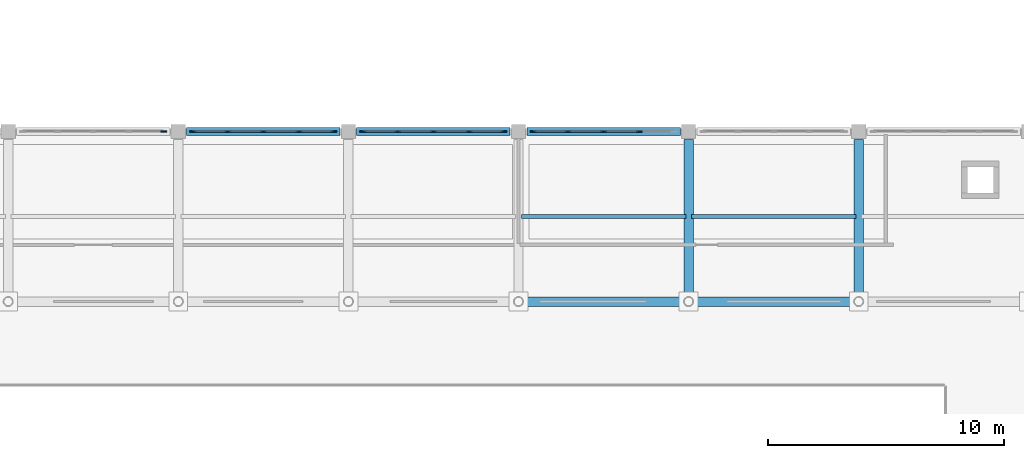
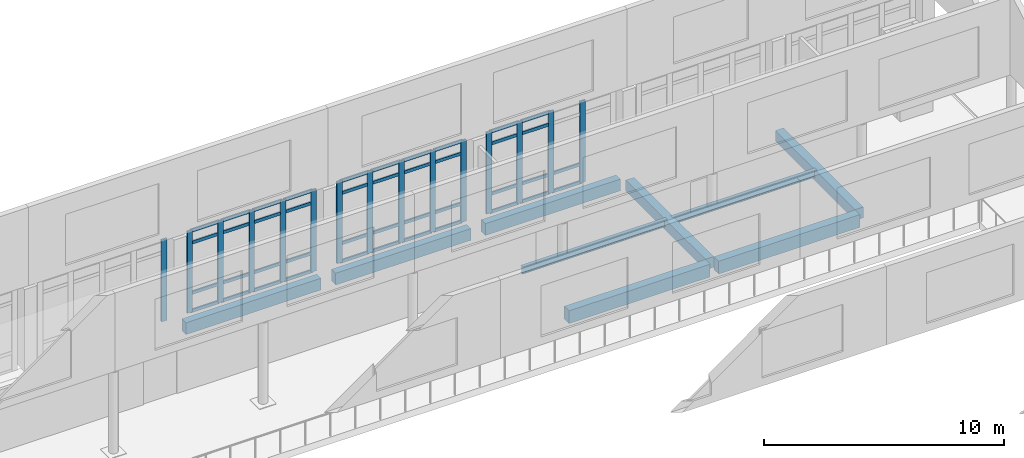
# One storey, part 21 of 62: 57 members, 9 beams, 4 elements without a shape of their own.
"""IFC4 building model written with IfcOpenShell, lengths in metres."""

from ifc_helpers import new_model, si_unit, direction, frame, origin, origin_2d, place, context, subcontext, project, spatial, rectangle, i_section, extrude, material, layer, layer_set, material_profile, profile_set, type_object, element, aggregate, save


model = new_model("IFC4")

# Units and contexts
model_context = context("Model", 3, precision=1e-05, world=origin(), true_north=direction((0.0, 1.0)))
body_context = subcontext(model_context, "Body", "Model", "MODEL_VIEW")
ifc_project = project(units=[si_unit("LENGTHUNIT", "METRE"), si_unit("AREAUNIT", "SQUARE_METRE"), si_unit("VOLUMEUNIT", "CUBIC_METRE"), si_unit("PLANEANGLEUNIT", "RADIAN"), si_unit("MASSUNIT", "GRAM", prefix="KILO")], contexts=[model_context])

# Site, building, storey
site_placement = place(None, origin())
site = spatial("IfcSite", under=ifc_project, at=site_placement, CompositionType="ELEMENT")
building_placement = place(site_placement, origin())
building = spatial("IfcBuilding", under=site, at=building_placement, Name="Valkovuoma Quantum and Materials Research Institute", CompositionType="ELEMENT")
storey_placement = place(building_placement, frame((0.0, 0.0, 13.1201171875)))
storey = spatial("IfcBuildingStorey", under=building, at=storey_placement, Name="L03", CompositionType="ELEMENT", Elevation=13.1201171875)

# Beams
ifc_material_1 = material(Name="Steel S355J2", Category="steel")
ifc_material_profile_1 = material_profile(ifc_material_1, i_section(OverallWidth=0.169921875, OverallDepth=0.360107421875, WebThickness=0.008056640625, FlangeThickness=0.0126953125, FilletRadius=0.01806640625, at=origin_2d()), Name="Steel S355J2")
ifc_profile_set_1 = profile_set([ifc_material_profile_1], Name="Steel S355J2")
beam_type_1 = type_object("IfcBeamType", Name="Beam-B-JST360", PredefinedType="JOIST", material=ifc_profile_set_1)
for number, where, z_axis, x_axis, name in (
    (1, (79.320068359375, 61.199951171875, -0.530029296875), (1.0, 0.0, 0.0), (0.0, 1.0, 0.0), "L03 floor joist 1743"),
    (2, (86.52001953125, 61.199951171875, -0.530029296875), (1.0, 0.0, 0.0), (0.0, 1.0, 0.0), "L03 floor joist 1744"),
):
    element("IfcBeam", number, at=place(storey_placement, frame(where, z_axis=z_axis, x_axis=x_axis)), inside=storey, type_object=beam_type_1, Name=name, PredefinedType="JOIST", context=body_context, shape_type="SweptSolid", body=[
        extrude(i_section(OverallWidth=0.169921875, OverallDepth=0.360107421875, WebThickness=0.008056640625, FlangeThickness=0.0126953125, FilletRadius=0.01806640625, at=origin_2d()), origin(), (0.0, 0.0, 1.0), 6.9599609375),
    ])
ifc_material_2 = material(Name="Concrete C40/50", Category="concrete")
ifc_material_profile_2 = material_profile(ifc_material_2, rectangle(XDim=0.39990234375, YDim=0.550048828125, at=origin_2d()), Name="Concrete C40/50")
ifc_profile_set_2 = profile_set([ifc_material_profile_2], Name="Concrete C40/50")
beam_type_2 = type_object("IfcBeamType", Name="Beam-B-RC550", PredefinedType="BEAM", material=ifc_profile_set_2)
for number, where, z_axis, x_axis, name in (
    (3, (86.39990234375, 57.80322265625, -0.625), (0.0, 1.0, 0.0), (-1.0, 0.0, 0.0), "L03 beam Y-1632"),
    (4, (93.60009765625, 57.80322265625, -0.625), (0.0, 1.0, 0.0), (-1.0, 0.0, 0.0), "L03 beam Y-1633"),
):
    element("IfcBeam", number, at=place(storey_placement, frame(where, z_axis=z_axis, x_axis=x_axis)), inside=storey, type_object=beam_type_2, Name=name, PredefinedType="BEAM", context=body_context, shape_type="SweptSolid", body=[
        extrude(rectangle(XDim=0.39990234375, YDim=0.550048828125, at=origin_2d()), origin(), (0.0, 0.0, 1.0), 6.646728515625),
    ])
ifc_material_3 = material(Name="Concrete C40/50", Category="concrete")
ifc_material_profile_3 = material_profile(ifc_material_3, rectangle(XDim=0.39990234375, YDim=0.64990234375, at=origin_2d()), Name="Concrete C40/50")
ifc_profile_set_3 = profile_set([ifc_material_profile_3], Name="Concrete C40/50")
beam_type_3 = type_object("IfcBeamType", Name="Beam-B-RC650", PredefinedType="BEAM", material=ifc_profile_set_3)
for number, where, z_axis, x_axis, name in (
    (5, (79.4033203125, 57.60009765625, -0.675048828125), (1.0, 0.0, 0.0), (0.0, 1.0, 0.0), "L03 beam X-1475"),
    (6, (86.603271484375, 57.60009765625, -0.675048828125), (1.0, 0.0, 0.0), (0.0, 1.0, 0.0), "L03 beam X-1476"),
):
    element("IfcBeam", number, at=place(storey_placement, frame(where, z_axis=z_axis, x_axis=x_axis)), inside=storey, type_object=beam_type_3, Name=name, PredefinedType="BEAM", context=body_context, shape_type="SweptSolid", body=[
        extrude(rectangle(XDim=0.39990234375, YDim=0.64990234375, at=origin_2d()), origin(), (0.0, 0.0, 1.0), 6.79345703125),
    ])
ifc_material_4 = material(Name="Concrete C40/50", Category="concrete")
ifc_material_profile_4 = material_profile(ifc_material_4, rectangle(XDim=0.35009765625, YDim=0.60009765625, at=origin_2d()), Name="Concrete C40/50")
ifc_profile_set_4 = profile_set([ifc_material_profile_4], Name="Concrete C40/50")
beam_type_4 = type_object("IfcBeamType", Name="Beam-B-SPN600", PredefinedType="SPANDREL", material=ifc_profile_set_4)
for number, where, z_axis, x_axis, name in (
    (7, (65.14990234375, 64.800048828125, -0.650146484375), (1.0, 0.0, 0.0), (0.0, 1.0, 0.0), "L03 beam X-1492"),
    (8, (72.35009765625, 64.800048828125, -0.650146484375), (1.0, 0.0, 0.0), (0.0, 1.0, 0.0), "L03 beam X-1493"),
    (9, (79.550048828125, 64.800048828125, -0.650146484375), (1.0, 0.0, 0.0), (0.0, 1.0, 0.0), "L03 beam X-1494"),
):
    element("IfcBeam", number, at=place(storey_placement, frame(where, z_axis=z_axis, x_axis=x_axis)), inside=storey, type_object=beam_type_4, Name=name, PredefinedType="SPANDREL", context=body_context, shape_type="SweptSolid", body=[
        extrude(rectangle(XDim=0.35009765625, YDim=0.60009765625, at=origin_2d()), origin(), (0.0, 0.0, 1.0), 6.5),
    ])

# Curtain wall, member
ifc_material_5 = material(Name="Thermally broken aluminium and triple low-E glazing", Category="aluminium")
ifc_layer = layer(ifc_material_5, 0.219970703125)
ifc_layer_set = layer_set([ifc_layer], Name="Thermally broken aluminium and triple low-E glazing")
curtain_wall_type = type_object("IfcCurtainWallType", Name="CW-CW-02", PredefinedType="NOTDEFINED", material=ifc_layer_set)
curtain_wall_1_placement = place(storey_placement, origin())
curtain_wall_1 = element("IfcCurtainWall", 10, at=curtain_wall_1_placement, inside=storey, type_object=curtain_wall_type, Name="L03 curtain wall 213", PredefinedType="NOTDEFINED")
ifc_material_6 = material(Name="Anodised aluminium 6060-T66", Category="aluminium")
ifc_material_profile_5 = material_profile(ifc_material_6, rectangle(XDim=0.080078125, YDim=0.260009765625, at=origin_2d()), Name="Anodised aluminium 6060-T66")
ifc_profile_set_5 = profile_set([ifc_material_profile_5], Name="Anodised aluminium 6060-T66")
member_type_1 = type_object("IfcMemberType", Name="CWMull-CWM-03", PredefinedType="MULLION", material=ifc_profile_set_5)
member_1_placement = place(storey_placement, frame((64.179931640625, 64.800048828125, 0.0), z_axis=(0.0, 0.0, 1.0), x_axis=(0.0, 1.0, 0.0)))
member_1 = element("IfcMember", 11, at=member_1_placement, type_object=member_type_1, Name="CW-02 mullion 5", PredefinedType="MULLION", context=body_context, shape_type="SweptSolid", body=[
    extrude(rectangle(XDim=0.080078125, YDim=0.260009765625, at=origin_2d()), origin(), (0.0, 0.0, 1.0), 4.159912109375),
])
aggregate(curtain_wall_1, [member_1])

# Curtain wall, members
curtain_wall_2_placement = place(storey_placement, origin())
curtain_wall_2 = element("IfcCurtainWall", 12, at=curtain_wall_2_placement, inside=storey, type_object=curtain_wall_type, Name="L03 curtain wall 214", PredefinedType="NOTDEFINED")
member_2_placement = place(storey_placement, frame((65.419921875, 64.800048828125, 0.0), z_axis=(0.0, 0.0, 1.0), x_axis=(0.0, 1.0, 0.0)))
member_2 = element("IfcMember", 13, at=member_2_placement, type_object=member_type_1, Name="CW-02 mullion 1", PredefinedType="MULLION", context=body_context, shape_type="SweptSolid", body=[
    extrude(rectangle(XDim=0.080078125, YDim=0.260009765625, at=origin_2d()), origin(), (0.0, 0.0, 1.0), 4.159912109375),
])
member_3_placement = place(storey_placement, frame((66.889892578125, 64.800048828125, 0.0), z_axis=(0.0, 0.0, 1.0), x_axis=(0.0, 1.0, 0.0)))
member_3 = element("IfcMember", 14, at=member_3_placement, type_object=member_type_1, Name="CW-02 mullion 2", PredefinedType="MULLION", context=body_context, shape_type="SweptSolid", body=[
    extrude(rectangle(XDim=0.080078125, YDim=0.260009765625, at=origin_2d()), origin(), (0.0, 0.0, 1.0), 4.159912109375),
])
member_4_placement = place(storey_placement, frame((68.39990234375, 64.800048828125, 0.0), z_axis=(0.0, 0.0, 1.0), x_axis=(0.0, 1.0, 0.0)))
member_4 = element("IfcMember", 15, at=member_4_placement, type_object=member_type_1, Name="CW-02 mullion 3", PredefinedType="MULLION", context=body_context, shape_type="SweptSolid", body=[
    extrude(rectangle(XDim=0.080078125, YDim=0.260009765625, at=origin_2d()), origin(), (0.0, 0.0, 1.0), 4.159912109375),
])
member_5_placement = place(storey_placement, frame((69.909912109375, 64.800048828125, 0.0), z_axis=(0.0, 0.0, 1.0), x_axis=(0.0, 1.0, 0.0)))
member_5 = element("IfcMember", 16, at=member_5_placement, type_object=member_type_1, Name="CW-02 mullion 4", PredefinedType="MULLION", context=body_context, shape_type="SweptSolid", body=[
    extrude(rectangle(XDim=0.080078125, YDim=0.260009765625, at=origin_2d()), origin(), (0.0, 0.0, 1.0), 4.159912109375),
])
member_6_placement = place(storey_placement, frame((71.3798828125, 64.800048828125, 0.0), z_axis=(0.0, 0.0, 1.0), x_axis=(0.0, 1.0, 0.0)))
member_6 = element("IfcMember", 17, at=member_6_placement, type_object=member_type_1, Name="CW-02 mullion 5", PredefinedType="MULLION", context=body_context, shape_type="SweptSolid", body=[
    extrude(rectangle(XDim=0.080078125, YDim=0.260009765625, at=origin_2d()), origin(), (0.0, 0.0, 1.0), 4.159912109375),
])

curtain_wall_3_placement = place(storey_placement, origin())
curtain_wall_3 = element("IfcCurtainWall", 18, at=curtain_wall_3_placement, inside=storey, type_object=curtain_wall_type, Name="L03 curtain wall 215", PredefinedType="NOTDEFINED")
member_7_placement = place(storey_placement, frame((72.6201171875, 64.800048828125, 0.0), z_axis=(0.0, 0.0, 1.0), x_axis=(0.0, 1.0, 0.0)))
member_7 = element("IfcMember", 19, at=member_7_placement, type_object=member_type_1, Name="CW-02 mullion 1", PredefinedType="MULLION", context=body_context, shape_type="SweptSolid", body=[
    extrude(rectangle(XDim=0.080078125, YDim=0.260009765625, at=origin_2d()), origin(), (0.0, 0.0, 1.0), 4.159912109375),
])
member_8_placement = place(storey_placement, frame((74.090087890625, 64.800048828125, 0.0), z_axis=(0.0, 0.0, 1.0), x_axis=(0.0, 1.0, 0.0)))
member_8 = element("IfcMember", 20, at=member_8_placement, type_object=member_type_1, Name="CW-02 mullion 2", PredefinedType="MULLION", context=body_context, shape_type="SweptSolid", body=[
    extrude(rectangle(XDim=0.080078125, YDim=0.260009765625, at=origin_2d()), origin(), (0.0, 0.0, 1.0), 4.159912109375),
])
member_9_placement = place(storey_placement, frame((75.60009765625, 64.800048828125, 0.0), z_axis=(0.0, 0.0, 1.0), x_axis=(0.0, 1.0, 0.0)))
member_9 = element("IfcMember", 21, at=member_9_placement, type_object=member_type_1, Name="CW-02 mullion 3", PredefinedType="MULLION", context=body_context, shape_type="SweptSolid", body=[
    extrude(rectangle(XDim=0.080078125, YDim=0.260009765625, at=origin_2d()), origin(), (0.0, 0.0, 1.0), 4.159912109375),
])
member_10_placement = place(storey_placement, frame((77.110107421875, 64.800048828125, 0.0), z_axis=(0.0, 0.0, 1.0), x_axis=(0.0, 1.0, 0.0)))
member_10 = element("IfcMember", 22, at=member_10_placement, type_object=member_type_1, Name="CW-02 mullion 4", PredefinedType="MULLION", context=body_context, shape_type="SweptSolid", body=[
    extrude(rectangle(XDim=0.080078125, YDim=0.260009765625, at=origin_2d()), origin(), (0.0, 0.0, 1.0), 4.159912109375),
])
member_11_placement = place(storey_placement, frame((78.580078125, 64.800048828125, 0.0), z_axis=(0.0, 0.0, 1.0), x_axis=(0.0, 1.0, 0.0)))
member_11 = element("IfcMember", 23, at=member_11_placement, type_object=member_type_1, Name="CW-02 mullion 5", PredefinedType="MULLION", context=body_context, shape_type="SweptSolid", body=[
    extrude(rectangle(XDim=0.080078125, YDim=0.260009765625, at=origin_2d()), origin(), (0.0, 0.0, 1.0), 4.159912109375),
])

curtain_wall_4_placement = place(storey_placement, origin())
curtain_wall_4 = element("IfcCurtainWall", 24, at=curtain_wall_4_placement, inside=storey, type_object=curtain_wall_type, Name="L03 curtain wall 216", PredefinedType="NOTDEFINED")
member_12_placement = place(storey_placement, frame((79.820068359375, 64.800048828125, 0.0), z_axis=(0.0, 0.0, 1.0), x_axis=(0.0, 1.0, 0.0)))
member_12 = element("IfcMember", 25, at=member_12_placement, type_object=member_type_1, Name="CW-02 mullion 1", PredefinedType="MULLION", context=body_context, shape_type="SweptSolid", body=[
    extrude(rectangle(XDim=0.080078125, YDim=0.260009765625, at=origin_2d()), origin(), (0.0, 0.0, 1.0), 4.159912109375),
])
member_13_placement = place(storey_placement, frame((81.2900390625, 64.800048828125, 0.0), z_axis=(0.0, 0.0, 1.0), x_axis=(0.0, 1.0, 0.0)))
member_13 = element("IfcMember", 26, at=member_13_placement, type_object=member_type_1, Name="CW-02 mullion 2", PredefinedType="MULLION", context=body_context, shape_type="SweptSolid", body=[
    extrude(rectangle(XDim=0.080078125, YDim=0.260009765625, at=origin_2d()), origin(), (0.0, 0.0, 1.0), 4.159912109375),
])
member_14_placement = place(storey_placement, frame((82.800048828125, 64.800048828125, 0.0), z_axis=(0.0, 0.0, 1.0), x_axis=(0.0, 1.0, 0.0)))
member_14 = element("IfcMember", 27, at=member_14_placement, type_object=member_type_1, Name="CW-02 mullion 3", PredefinedType="MULLION", context=body_context, shape_type="SweptSolid", body=[
    extrude(rectangle(XDim=0.080078125, YDim=0.260009765625, at=origin_2d()), origin(), (0.0, 0.0, 1.0), 4.159912109375),
])
member_15_placement = place(storey_placement, frame((84.31005859375, 64.800048828125, 0.0), z_axis=(0.0, 0.0, 1.0), x_axis=(0.0, 1.0, 0.0)))
member_15 = element("IfcMember", 28, at=member_15_placement, type_object=member_type_1, Name="CW-02 mullion 4", PredefinedType="MULLION", context=body_context, shape_type="SweptSolid", body=[
    extrude(rectangle(XDim=0.080078125, YDim=0.260009765625, at=origin_2d()), origin(), (0.0, 0.0, 1.0), 4.159912109375),
])

# Member
ifc_material_7 = material(Name="Anodised aluminium 6060-T66", Category="aluminium")
ifc_material_profile_6 = material_profile(ifc_material_7, rectangle(XDim=0.074951171875, YDim=0.159912109375, at=origin_2d()), Name="Anodised aluminium 6060-T66")
ifc_profile_set_6 = profile_set([ifc_material_profile_6], Name="Anodised aluminium 6060-T66")
member_type_2 = type_object("IfcMemberType", Name="CWTran-CWT-02", PredefinedType="USERDEFINED", material=ifc_profile_set_6)
member_16_placement = place(storey_placement, frame((65.4599609375, 64.800048828125, 0.037353515625), z_axis=(1.0, 0.0, 0.0), x_axis=(0.0, 1.0, 0.0)))
member_16 = element("IfcMember", 29, at=member_16_placement, type_object=member_type_2, Name="CW-02 transom 1.1", ObjectType="TRANSOM", PredefinedType="USERDEFINED", context=body_context, shape_type="SweptSolid", body=[
    extrude(rectangle(XDim=0.074951171875, YDim=0.159912109375, at=origin_2d()), origin(), (0.0, 0.0, 1.0), 1.39013671875),
])

member_17_placement = place(storey_placement, frame((65.4599609375, 64.800048828125, 0.949951171875), z_axis=(1.0, 0.0, 0.0), x_axis=(0.0, 1.0, 0.0)))
member_17 = element("IfcMember", 30, at=member_17_placement, type_object=member_type_2, Name="CW-02 transom 1.2", ObjectType="TRANSOM", PredefinedType="USERDEFINED", context=body_context, shape_type="SweptSolid", body=[
    extrude(rectangle(XDim=0.074951171875, YDim=0.159912109375, at=origin_2d()), origin(), (0.0, 0.0, 1.0), 1.39013671875),
])

member_18_placement = place(storey_placement, frame((65.4599609375, 64.800048828125, 3.509765625), z_axis=(1.0, 0.0, 0.0), x_axis=(0.0, 1.0, 0.0)))
member_18 = element("IfcMember", 31, at=member_18_placement, type_object=member_type_2, Name="CW-02 transom 1.3", ObjectType="TRANSOM", PredefinedType="USERDEFINED", context=body_context, shape_type="SweptSolid", body=[
    extrude(rectangle(XDim=0.074951171875, YDim=0.159912109375, at=origin_2d()), origin(), (0.0, 0.0, 1.0), 1.39013671875),
])

member_19_placement = place(storey_placement, frame((65.4599609375, 64.800048828125, 4.122314453125), z_axis=(1.0, 0.0, 0.0), x_axis=(0.0, 1.0, 0.0)))
member_19 = element("IfcMember", 32, at=member_19_placement, type_object=member_type_2, Name="CW-02 transom 1.4", ObjectType="TRANSOM", PredefinedType="USERDEFINED", context=body_context, shape_type="SweptSolid", body=[
    extrude(rectangle(XDim=0.074951171875, YDim=0.159912109375, at=origin_2d()), origin(), (0.0, 0.0, 1.0), 1.39013671875),
])

member_20_placement = place(storey_placement, frame((66.929931640625, 64.800048828125, 0.037353515625), z_axis=(1.0, 0.0, 0.0), x_axis=(0.0, 1.0, 0.0)))
member_20 = element("IfcMember", 33, at=member_20_placement, type_object=member_type_2, Name="CW-02 transom 2.1", ObjectType="TRANSOM", PredefinedType="USERDEFINED", context=body_context, shape_type="SweptSolid", body=[
    extrude(rectangle(XDim=0.074951171875, YDim=0.159912109375, at=origin_2d()), origin(), (0.0, 0.0, 1.0), 1.43017578125),
])

member_21_placement = place(storey_placement, frame((66.929931640625, 64.800048828125, 0.949951171875), z_axis=(1.0, 0.0, 0.0), x_axis=(0.0, 1.0, 0.0)))
member_21 = element("IfcMember", 34, at=member_21_placement, type_object=member_type_2, Name="CW-02 transom 2.2", ObjectType="TRANSOM", PredefinedType="USERDEFINED", context=body_context, shape_type="SweptSolid", body=[
    extrude(rectangle(XDim=0.074951171875, YDim=0.159912109375, at=origin_2d()), origin(), (0.0, 0.0, 1.0), 1.43017578125),
])

member_22_placement = place(storey_placement, frame((66.929931640625, 64.800048828125, 3.509765625), z_axis=(1.0, 0.0, 0.0), x_axis=(0.0, 1.0, 0.0)))
member_22 = element("IfcMember", 35, at=member_22_placement, type_object=member_type_2, Name="CW-02 transom 2.3", ObjectType="TRANSOM", PredefinedType="USERDEFINED", context=body_context, shape_type="SweptSolid", body=[
    extrude(rectangle(XDim=0.074951171875, YDim=0.159912109375, at=origin_2d()), origin(), (0.0, 0.0, 1.0), 1.43017578125),
])

member_23_placement = place(storey_placement, frame((66.929931640625, 64.800048828125, 4.122314453125), z_axis=(1.0, 0.0, 0.0), x_axis=(0.0, 1.0, 0.0)))
member_23 = element("IfcMember", 36, at=member_23_placement, type_object=member_type_2, Name="CW-02 transom 2.4", ObjectType="TRANSOM", PredefinedType="USERDEFINED", context=body_context, shape_type="SweptSolid", body=[
    extrude(rectangle(XDim=0.074951171875, YDim=0.159912109375, at=origin_2d()), origin(), (0.0, 0.0, 1.0), 1.43017578125),
])

member_24_placement = place(storey_placement, frame((68.43994140625, 64.800048828125, 0.037353515625), z_axis=(1.0, 0.0, 0.0), x_axis=(0.0, 1.0, 0.0)))
member_24 = element("IfcMember", 37, at=member_24_placement, type_object=member_type_2, Name="CW-02 transom 3.1", ObjectType="TRANSOM", PredefinedType="USERDEFINED", context=body_context, shape_type="SweptSolid", body=[
    extrude(rectangle(XDim=0.074951171875, YDim=0.159912109375, at=origin_2d()), origin(), (0.0, 0.0, 1.0), 1.43017578125),
])

member_25_placement = place(storey_placement, frame((68.43994140625, 64.800048828125, 0.949951171875), z_axis=(1.0, 0.0, 0.0), x_axis=(0.0, 1.0, 0.0)))
member_25 = element("IfcMember", 38, at=member_25_placement, type_object=member_type_2, Name="CW-02 transom 3.2", ObjectType="TRANSOM", PredefinedType="USERDEFINED", context=body_context, shape_type="SweptSolid", body=[
    extrude(rectangle(XDim=0.074951171875, YDim=0.159912109375, at=origin_2d()), origin(), (0.0, 0.0, 1.0), 1.43017578125),
])

member_26_placement = place(storey_placement, frame((68.43994140625, 64.800048828125, 3.509765625), z_axis=(1.0, 0.0, 0.0), x_axis=(0.0, 1.0, 0.0)))
member_26 = element("IfcMember", 39, at=member_26_placement, type_object=member_type_2, Name="CW-02 transom 3.3", ObjectType="TRANSOM", PredefinedType="USERDEFINED", context=body_context, shape_type="SweptSolid", body=[
    extrude(rectangle(XDim=0.074951171875, YDim=0.159912109375, at=origin_2d()), origin(), (0.0, 0.0, 1.0), 1.43017578125),
])

member_27_placement = place(storey_placement, frame((68.43994140625, 64.800048828125, 4.122314453125), z_axis=(1.0, 0.0, 0.0), x_axis=(0.0, 1.0, 0.0)))
member_27 = element("IfcMember", 40, at=member_27_placement, type_object=member_type_2, Name="CW-02 transom 3.4", ObjectType="TRANSOM", PredefinedType="USERDEFINED", context=body_context, shape_type="SweptSolid", body=[
    extrude(rectangle(XDim=0.074951171875, YDim=0.159912109375, at=origin_2d()), origin(), (0.0, 0.0, 1.0), 1.43017578125),
])

member_28_placement = place(storey_placement, frame((69.949951171875, 64.800048828125, 0.037353515625), z_axis=(1.0, 0.0, 0.0), x_axis=(0.0, 1.0, 0.0)))
member_28 = element("IfcMember", 41, at=member_28_placement, type_object=member_type_2, Name="CW-02 transom 4.1", ObjectType="TRANSOM", PredefinedType="USERDEFINED", context=body_context, shape_type="SweptSolid", body=[
    extrude(rectangle(XDim=0.074951171875, YDim=0.159912109375, at=origin_2d()), origin(), (0.0, 0.0, 1.0), 1.39013671875),
])

member_29_placement = place(storey_placement, frame((69.949951171875, 64.800048828125, 0.949951171875), z_axis=(1.0, 0.0, 0.0), x_axis=(0.0, 1.0, 0.0)))
member_29 = element("IfcMember", 42, at=member_29_placement, type_object=member_type_2, Name="CW-02 transom 4.2", ObjectType="TRANSOM", PredefinedType="USERDEFINED", context=body_context, shape_type="SweptSolid", body=[
    extrude(rectangle(XDim=0.074951171875, YDim=0.159912109375, at=origin_2d()), origin(), (0.0, 0.0, 1.0), 1.39013671875),
])

member_30_placement = place(storey_placement, frame((69.949951171875, 64.800048828125, 3.509765625), z_axis=(1.0, 0.0, 0.0), x_axis=(0.0, 1.0, 0.0)))
member_30 = element("IfcMember", 43, at=member_30_placement, type_object=member_type_2, Name="CW-02 transom 4.3", ObjectType="TRANSOM", PredefinedType="USERDEFINED", context=body_context, shape_type="SweptSolid", body=[
    extrude(rectangle(XDim=0.074951171875, YDim=0.159912109375, at=origin_2d()), origin(), (0.0, 0.0, 1.0), 1.39013671875),
])

member_31_placement = place(storey_placement, frame((69.949951171875, 64.800048828125, 4.122314453125), z_axis=(1.0, 0.0, 0.0), x_axis=(0.0, 1.0, 0.0)))
member_31 = element("IfcMember", 44, at=member_31_placement, type_object=member_type_2, Name="CW-02 transom 4.4", ObjectType="TRANSOM", PredefinedType="USERDEFINED", context=body_context, shape_type="SweptSolid", body=[
    extrude(rectangle(XDim=0.074951171875, YDim=0.159912109375, at=origin_2d()), origin(), (0.0, 0.0, 1.0), 1.39013671875),
])

aggregate(curtain_wall_2, [member_2, member_3, member_4, member_5, member_6, member_16, member_17, member_18, member_19, member_20, member_21, member_22, member_23, member_24, member_25, member_26, member_27, member_28, member_29, member_30, member_31])

member_32_placement = place(storey_placement, frame((72.659912109375, 64.800048828125, 0.037353515625), z_axis=(1.0, 0.0, 0.0), x_axis=(0.0, 1.0, 0.0)))
member_32 = element("IfcMember", 45, at=member_32_placement, type_object=member_type_2, Name="CW-02 transom 1.1", ObjectType="TRANSOM", PredefinedType="USERDEFINED", context=body_context, shape_type="SweptSolid", body=[
    extrude(rectangle(XDim=0.074951171875, YDim=0.159912109375, at=origin_2d()), origin(), (0.0, 0.0, 1.0), 1.39013671875),
])

member_33_placement = place(storey_placement, frame((72.659912109375, 64.800048828125, 0.949951171875), z_axis=(1.0, 0.0, 0.0), x_axis=(0.0, 1.0, 0.0)))
member_33 = element("IfcMember", 46, at=member_33_placement, type_object=member_type_2, Name="CW-02 transom 1.2", ObjectType="TRANSOM", PredefinedType="USERDEFINED", context=body_context, shape_type="SweptSolid", body=[
    extrude(rectangle(XDim=0.074951171875, YDim=0.159912109375, at=origin_2d()), origin(), (0.0, 0.0, 1.0), 1.39013671875),
])

member_34_placement = place(storey_placement, frame((72.659912109375, 64.800048828125, 3.509765625), z_axis=(1.0, 0.0, 0.0), x_axis=(0.0, 1.0, 0.0)))
member_34 = element("IfcMember", 47, at=member_34_placement, type_object=member_type_2, Name="CW-02 transom 1.3", ObjectType="TRANSOM", PredefinedType="USERDEFINED", context=body_context, shape_type="SweptSolid", body=[
    extrude(rectangle(XDim=0.074951171875, YDim=0.159912109375, at=origin_2d()), origin(), (0.0, 0.0, 1.0), 1.39013671875),
])

member_35_placement = place(storey_placement, frame((72.659912109375, 64.800048828125, 4.122314453125), z_axis=(1.0, 0.0, 0.0), x_axis=(0.0, 1.0, 0.0)))
member_35 = element("IfcMember", 48, at=member_35_placement, type_object=member_type_2, Name="CW-02 transom 1.4", ObjectType="TRANSOM", PredefinedType="USERDEFINED", context=body_context, shape_type="SweptSolid", body=[
    extrude(rectangle(XDim=0.074951171875, YDim=0.159912109375, at=origin_2d()), origin(), (0.0, 0.0, 1.0), 1.39013671875),
])

member_36_placement = place(storey_placement, frame((74.1298828125, 64.800048828125, 0.037353515625), z_axis=(1.0, 0.0, 0.0), x_axis=(0.0, 1.0, 0.0)))
member_36 = element("IfcMember", 49, at=member_36_placement, type_object=member_type_2, Name="CW-02 transom 2.1", ObjectType="TRANSOM", PredefinedType="USERDEFINED", context=body_context, shape_type="SweptSolid", body=[
    extrude(rectangle(XDim=0.074951171875, YDim=0.159912109375, at=origin_2d()), origin(), (0.0, 0.0, 1.0), 1.43017578125),
])

member_37_placement = place(storey_placement, frame((74.1298828125, 64.800048828125, 0.949951171875), z_axis=(1.0, 0.0, 0.0), x_axis=(0.0, 1.0, 0.0)))
member_37 = element("IfcMember", 50, at=member_37_placement, type_object=member_type_2, Name="CW-02 transom 2.2", ObjectType="TRANSOM", PredefinedType="USERDEFINED", context=body_context, shape_type="SweptSolid", body=[
    extrude(rectangle(XDim=0.074951171875, YDim=0.159912109375, at=origin_2d()), origin(), (0.0, 0.0, 1.0), 1.43017578125),
])

member_38_placement = place(storey_placement, frame((74.1298828125, 64.800048828125, 3.509765625), z_axis=(1.0, 0.0, 0.0), x_axis=(0.0, 1.0, 0.0)))
member_38 = element("IfcMember", 51, at=member_38_placement, type_object=member_type_2, Name="CW-02 transom 2.3", ObjectType="TRANSOM", PredefinedType="USERDEFINED", context=body_context, shape_type="SweptSolid", body=[
    extrude(rectangle(XDim=0.074951171875, YDim=0.159912109375, at=origin_2d()), origin(), (0.0, 0.0, 1.0), 1.43017578125),
])

member_39_placement = place(storey_placement, frame((74.1298828125, 64.800048828125, 4.122314453125), z_axis=(1.0, 0.0, 0.0), x_axis=(0.0, 1.0, 0.0)))
member_39 = element("IfcMember", 52, at=member_39_placement, type_object=member_type_2, Name="CW-02 transom 2.4", ObjectType="TRANSOM", PredefinedType="USERDEFINED", context=body_context, shape_type="SweptSolid", body=[
    extrude(rectangle(XDim=0.074951171875, YDim=0.159912109375, at=origin_2d()), origin(), (0.0, 0.0, 1.0), 1.43017578125),
])

member_40_placement = place(storey_placement, frame((75.639892578125, 64.800048828125, 0.037353515625), z_axis=(1.0, 0.0, 0.0), x_axis=(0.0, 1.0, 0.0)))
member_40 = element("IfcMember", 53, at=member_40_placement, type_object=member_type_2, Name="CW-02 transom 3.1", ObjectType="TRANSOM", PredefinedType="USERDEFINED", context=body_context, shape_type="SweptSolid", body=[
    extrude(rectangle(XDim=0.074951171875, YDim=0.159912109375, at=origin_2d()), origin(), (0.0, 0.0, 1.0), 1.43017578125),
])

member_41_placement = place(storey_placement, frame((75.639892578125, 64.800048828125, 0.949951171875), z_axis=(1.0, 0.0, 0.0), x_axis=(0.0, 1.0, 0.0)))
member_41 = element("IfcMember", 54, at=member_41_placement, type_object=member_type_2, Name="CW-02 transom 3.2", ObjectType="TRANSOM", PredefinedType="USERDEFINED", context=body_context, shape_type="SweptSolid", body=[
    extrude(rectangle(XDim=0.074951171875, YDim=0.159912109375, at=origin_2d()), origin(), (0.0, 0.0, 1.0), 1.43017578125),
])

member_42_placement = place(storey_placement, frame((75.639892578125, 64.800048828125, 3.509765625), z_axis=(1.0, 0.0, 0.0), x_axis=(0.0, 1.0, 0.0)))
member_42 = element("IfcMember", 55, at=member_42_placement, type_object=member_type_2, Name="CW-02 transom 3.3", ObjectType="TRANSOM", PredefinedType="USERDEFINED", context=body_context, shape_type="SweptSolid", body=[
    extrude(rectangle(XDim=0.074951171875, YDim=0.159912109375, at=origin_2d()), origin(), (0.0, 0.0, 1.0), 1.43017578125),
])

member_43_placement = place(storey_placement, frame((75.639892578125, 64.800048828125, 4.122314453125), z_axis=(1.0, 0.0, 0.0), x_axis=(0.0, 1.0, 0.0)))
member_43 = element("IfcMember", 56, at=member_43_placement, type_object=member_type_2, Name="CW-02 transom 3.4", ObjectType="TRANSOM", PredefinedType="USERDEFINED", context=body_context, shape_type="SweptSolid", body=[
    extrude(rectangle(XDim=0.074951171875, YDim=0.159912109375, at=origin_2d()), origin(), (0.0, 0.0, 1.0), 1.43017578125),
])

member_44_placement = place(storey_placement, frame((77.14990234375, 64.800048828125, 0.037353515625), z_axis=(1.0, 0.0, 0.0), x_axis=(0.0, 1.0, 0.0)))
member_44 = element("IfcMember", 57, at=member_44_placement, type_object=member_type_2, Name="CW-02 transom 4.1", ObjectType="TRANSOM", PredefinedType="USERDEFINED", context=body_context, shape_type="SweptSolid", body=[
    extrude(rectangle(XDim=0.074951171875, YDim=0.159912109375, at=origin_2d()), origin(), (0.0, 0.0, 1.0), 1.39013671875),
])

member_45_placement = place(storey_placement, frame((77.14990234375, 64.800048828125, 0.949951171875), z_axis=(1.0, 0.0, 0.0), x_axis=(0.0, 1.0, 0.0)))
member_45 = element("IfcMember", 58, at=member_45_placement, type_object=member_type_2, Name="CW-02 transom 4.2", ObjectType="TRANSOM", PredefinedType="USERDEFINED", context=body_context, shape_type="SweptSolid", body=[
    extrude(rectangle(XDim=0.074951171875, YDim=0.159912109375, at=origin_2d()), origin(), (0.0, 0.0, 1.0), 1.39013671875),
])

member_46_placement = place(storey_placement, frame((77.14990234375, 64.800048828125, 3.509765625), z_axis=(1.0, 0.0, 0.0), x_axis=(0.0, 1.0, 0.0)))
member_46 = element("IfcMember", 59, at=member_46_placement, type_object=member_type_2, Name="CW-02 transom 4.3", ObjectType="TRANSOM", PredefinedType="USERDEFINED", context=body_context, shape_type="SweptSolid", body=[
    extrude(rectangle(XDim=0.074951171875, YDim=0.159912109375, at=origin_2d()), origin(), (0.0, 0.0, 1.0), 1.39013671875),
])

member_47_placement = place(storey_placement, frame((77.14990234375, 64.800048828125, 4.122314453125), z_axis=(1.0, 0.0, 0.0), x_axis=(0.0, 1.0, 0.0)))
member_47 = element("IfcMember", 60, at=member_47_placement, type_object=member_type_2, Name="CW-02 transom 4.4", ObjectType="TRANSOM", PredefinedType="USERDEFINED", context=body_context, shape_type="SweptSolid", body=[
    extrude(rectangle(XDim=0.074951171875, YDim=0.159912109375, at=origin_2d()), origin(), (0.0, 0.0, 1.0), 1.39013671875),
])

aggregate(curtain_wall_3, [member_7, member_8, member_9, member_10, member_11, member_32, member_33, member_34, member_35, member_36, member_37, member_38, member_39, member_40, member_41, member_42, member_43, member_44, member_45, member_46, member_47])

member_48_placement = place(storey_placement, frame((79.860107421875, 64.800048828125, 0.037353515625), z_axis=(1.0, 0.0, 0.0), x_axis=(0.0, 1.0, 0.0)))
member_48 = element("IfcMember", 61, at=member_48_placement, type_object=member_type_2, Name="CW-02 transom 1.1", ObjectType="TRANSOM", PredefinedType="USERDEFINED", context=body_context, shape_type="SweptSolid", body=[
    extrude(rectangle(XDim=0.074951171875, YDim=0.159912109375, at=origin_2d()), origin(), (0.0, 0.0, 1.0), 1.389892578125),
])

member_49_placement = place(storey_placement, frame((79.860107421875, 64.800048828125, 0.949951171875), z_axis=(1.0, 0.0, 0.0), x_axis=(0.0, 1.0, 0.0)))
member_49 = element("IfcMember", 62, at=member_49_placement, type_object=member_type_2, Name="CW-02 transom 1.2", ObjectType="TRANSOM", PredefinedType="USERDEFINED", context=body_context, shape_type="SweptSolid", body=[
    extrude(rectangle(XDim=0.074951171875, YDim=0.159912109375, at=origin_2d()), origin(), (0.0, 0.0, 1.0), 1.389892578125),
])

member_50_placement = place(storey_placement, frame((79.860107421875, 64.800048828125, 3.509765625), z_axis=(1.0, 0.0, 0.0), x_axis=(0.0, 1.0, 0.0)))
member_50 = element("IfcMember", 63, at=member_50_placement, type_object=member_type_2, Name="CW-02 transom 1.3", ObjectType="TRANSOM", PredefinedType="USERDEFINED", context=body_context, shape_type="SweptSolid", body=[
    extrude(rectangle(XDim=0.074951171875, YDim=0.159912109375, at=origin_2d()), origin(), (0.0, 0.0, 1.0), 1.389892578125),
])

member_51_placement = place(storey_placement, frame((79.860107421875, 64.800048828125, 4.122314453125), z_axis=(1.0, 0.0, 0.0), x_axis=(0.0, 1.0, 0.0)))
member_51 = element("IfcMember", 64, at=member_51_placement, type_object=member_type_2, Name="CW-02 transom 1.4", ObjectType="TRANSOM", PredefinedType="USERDEFINED", context=body_context, shape_type="SweptSolid", body=[
    extrude(rectangle(XDim=0.074951171875, YDim=0.159912109375, at=origin_2d()), origin(), (0.0, 0.0, 1.0), 1.389892578125),
])

member_52_placement = place(storey_placement, frame((81.330078125, 64.800048828125, 0.037353515625), z_axis=(1.0, 0.0, 0.0), x_axis=(0.0, 1.0, 0.0)))
member_52 = element("IfcMember", 65, at=member_52_placement, type_object=member_type_2, Name="CW-02 transom 2.1", ObjectType="TRANSOM", PredefinedType="USERDEFINED", context=body_context, shape_type="SweptSolid", body=[
    extrude(rectangle(XDim=0.074951171875, YDim=0.159912109375, at=origin_2d()), origin(), (0.0, 0.0, 1.0), 1.429931640625),
])

member_53_placement = place(storey_placement, frame((81.330078125, 64.800048828125, 0.949951171875), z_axis=(1.0, 0.0, 0.0), x_axis=(0.0, 1.0, 0.0)))
member_53 = element("IfcMember", 66, at=member_53_placement, type_object=member_type_2, Name="CW-02 transom 2.2", ObjectType="TRANSOM", PredefinedType="USERDEFINED", context=body_context, shape_type="SweptSolid", body=[
    extrude(rectangle(XDim=0.074951171875, YDim=0.159912109375, at=origin_2d()), origin(), (0.0, 0.0, 1.0), 1.429931640625),
])

member_54_placement = place(storey_placement, frame((81.330078125, 64.800048828125, 3.509765625), z_axis=(1.0, 0.0, 0.0), x_axis=(0.0, 1.0, 0.0)))
member_54 = element("IfcMember", 67, at=member_54_placement, type_object=member_type_2, Name="CW-02 transom 2.3", ObjectType="TRANSOM", PredefinedType="USERDEFINED", context=body_context, shape_type="SweptSolid", body=[
    extrude(rectangle(XDim=0.074951171875, YDim=0.159912109375, at=origin_2d()), origin(), (0.0, 0.0, 1.0), 1.429931640625),
])

member_55_placement = place(storey_placement, frame((81.330078125, 64.800048828125, 4.122314453125), z_axis=(1.0, 0.0, 0.0), x_axis=(0.0, 1.0, 0.0)))
member_55 = element("IfcMember", 68, at=member_55_placement, type_object=member_type_2, Name="CW-02 transom 2.4", ObjectType="TRANSOM", PredefinedType="USERDEFINED", context=body_context, shape_type="SweptSolid", body=[
    extrude(rectangle(XDim=0.074951171875, YDim=0.159912109375, at=origin_2d()), origin(), (0.0, 0.0, 1.0), 1.429931640625),
])

member_56_placement = place(storey_placement, frame((82.840087890625, 64.800048828125, 0.037353515625), z_axis=(1.0, 0.0, 0.0), x_axis=(0.0, 1.0, 0.0)))
member_56 = element("IfcMember", 69, at=member_56_placement, type_object=member_type_2, Name="CW-02 transom 3.1", ObjectType="TRANSOM", PredefinedType="USERDEFINED", context=body_context, shape_type="SweptSolid", body=[
    extrude(rectangle(XDim=0.074951171875, YDim=0.159912109375, at=origin_2d()), origin(), (0.0, 0.0, 1.0), 1.429931640625),
])

member_57_placement = place(storey_placement, frame((82.840087890625, 64.800048828125, 0.949951171875), z_axis=(1.0, 0.0, 0.0), x_axis=(0.0, 1.0, 0.0)))
member_57 = element("IfcMember", 70, at=member_57_placement, type_object=member_type_2, Name="CW-02 transom 3.2", ObjectType="TRANSOM", PredefinedType="USERDEFINED", context=body_context, shape_type="SweptSolid", body=[
    extrude(rectangle(XDim=0.074951171875, YDim=0.159912109375, at=origin_2d()), origin(), (0.0, 0.0, 1.0), 1.429931640625),
])

aggregate(curtain_wall_4, [member_12, member_13, member_14, member_15, member_48, member_49, member_50, member_51, member_52, member_53, member_54, member_55, member_56, member_57])

save(model, "model.ifc")
